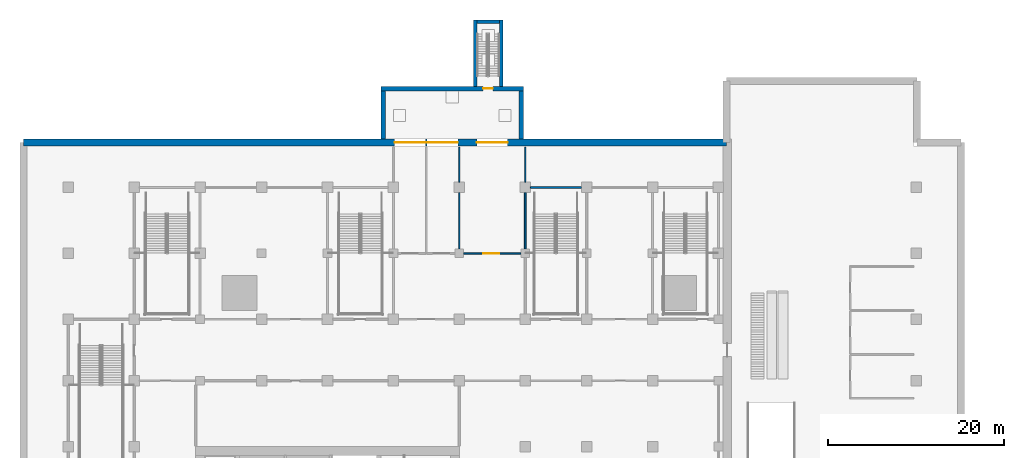
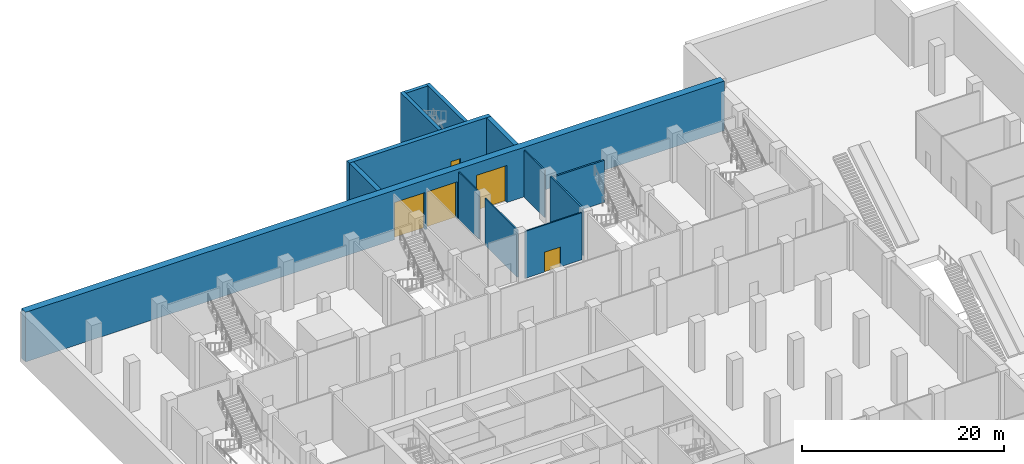
# One storey, part 11 of 45: 13 walls, 5 doors, 5 openings.
"""IFC4 building model written with IfcOpenShell, lengths in metres."""

from ifc_helpers import new_model, si_unit, direction, frame, frame_2d, origin, place, context, subcontext, project, spatial, rectangle, extrude, material, layer, layer_set, type_object, element, fill, save


model = new_model("IFC4")

# Units and contexts
model_context = context("Model", 3, precision=1e-05, world=origin(), true_north=direction((0.0, 1.0)))
body_context = subcontext(model_context, "Body", "Model", "MODEL_VIEW")
ifc_project = project(units=[si_unit("LENGTHUNIT", "METRE"), si_unit("AREAUNIT", "SQUARE_METRE"), si_unit("VOLUMEUNIT", "CUBIC_METRE"), si_unit("PLANEANGLEUNIT", "RADIAN"), si_unit("MASSUNIT", "GRAM", prefix="KILO")], contexts=[model_context])

# Site, building, storey
site_placement = place(None, origin())
site = spatial("IfcSite", under=ifc_project, at=site_placement, CompositionType="ELEMENT")
building_placement = place(site_placement, origin())
building = spatial("IfcBuilding", under=site, at=building_placement, Name="Tamorin Gate", CompositionType="ELEMENT")
storey_placement = place(building_placement, frame((0.0, 0.0, -6.0)))
storey = spatial("IfcBuildingStorey", under=building, at=storey_placement, Name="B1", CompositionType="ELEMENT", Elevation=-6.0)

# Wall, opening, door
ifc_material_1 = material(Name="Concrete masonry C20/25", Category="masonry")
ifc_layer_1 = layer(ifc_material_1, 0.14990234375)
ifc_layer_set_1 = layer_set([ifc_layer_1], Name="Partition 150")
wall_type_1 = type_object("IfcWallType", Name="Partition 150", PredefinedType="PARTITIONING", material=ifc_layer_set_1)
wall_1_placement = place(storey_placement, frame((67.0, 104.5, 0.0), z_axis=(0.0, 0.0, 1.0), x_axis=(-1.0, 0.0, 0.0)))
wall_1 = element("IfcWall", 1, at=wall_1_placement, inside=storey, type_object=wall_type_1, Name="Partition 150 B1", PredefinedType="PARTITIONING", context=body_context, shape_type="SweptSolid", body=[
    extrude(rectangle(XDim=6.5, YDim=0.14990234375, at=frame_2d((3.25, 0.0))), origin(), (0.0, 0.0, 1.0), 5.699951171875),
])
opening_1_placement = place(wall_1_placement, frame((2.449951171875, 0.0, 0.0)))
opening_1 = element("IfcOpeningElement", 2, at=opening_1_placement, cuts=wall_1, Name="Opening DP3", PredefinedType="OPENING", context=body_context, shape_type="SweptSolid", body=[
    extrude(rectangle(XDim=1.800048828125, YDim=2.39990234375, at=frame_2d((0.89990234375, 1.199951171875))), frame((0.0, 0.0849609375, 0.0), z_axis=(0.0, -1.0, 0.0), x_axis=(1.0, 0.0, 0.0)), (0.0, 0.0, 1.0), 0.169921875),
])
ifc_material_2 = material(Name="Steel and glass", Category="steel")
door_type_1 = type_object("IfcDoorType", Name="Door pair 1800", OperationType="DOUBLE_DOOR_SINGLE_SWING", PredefinedType="DOOR", material=ifc_material_2)
door_1_placement = place(opening_1_placement, origin())
door_1 = element("IfcDoor", 3, at=door_1_placement, inside=storey, type_object=door_type_1, Name="Door pair 1800 B1", OperationType="SINGLE_SWING_LEFT", OverallHeight=2.39990234375, OverallWidth=1.800048828125, PredefinedType="DOOR", context=body_context, shape_type="SweptSolid", body=[
    extrude(rectangle(XDim=1.800048828125, YDim=2.39990234375, at=frame_2d((0.89990234375, 1.199951171875))), frame((0.0, 0.02490234375, 0.0), z_axis=(0.0, -1.0, 0.0), x_axis=(1.0, 0.0, 0.0)), (0.0, 0.0, 1.0), 0.050048828125),
])
fill(opening_1, door_1)

# Walls
wall_2_placement = place(storey_placement, frame((67.5, 112.60009765625, 0.0), z_axis=(0.0, 0.0, 1.0), x_axis=(0.0, 1.0, 0.0)))
element("IfcWall", 4, at=wall_2_placement, inside=storey, type_object=wall_type_1, Name="Partition 150 B1", PredefinedType="PARTITIONING", context=body_context, shape_type="SweptSolid", body=[
    extrude(rectangle(XDim=4.0, YDim=0.14990234375, at=frame_2d((2.0, 0.0))), origin(), (0.0, 0.0, 1.0), 5.699951171875),
])
wall_3_placement = place(storey_placement, frame((60.0, 105.0, 0.0), z_axis=(0.0, 0.0, 1.0), x_axis=(0.0, 1.0, 0.0)))
element("IfcWall", 5, at=wall_3_placement, inside=storey, type_object=wall_type_1, Name="Partition 150 B1", PredefinedType="PARTITIONING", context=body_context, shape_type="SweptSolid", body=[
    extrude(rectangle(XDim=6.39990234375, YDim=0.14990234375, at=frame_2d((3.199951171875, 0.0))), origin(), (0.0, 0.0, 1.0), 5.699951171875),
])
wall_4_placement = place(storey_placement, frame((60.0, 112.60009765625, 0.0), z_axis=(0.0, 0.0, 1.0), x_axis=(0.0, 1.0, 0.0)))
element("IfcWall", 6, at=wall_4_placement, inside=storey, type_object=wall_type_1, Name="Partition 150 B1", PredefinedType="PARTITIONING", context=body_context, shape_type="SweptSolid", body=[
    extrude(rectangle(XDim=4.0, YDim=0.14990234375, at=frame_2d((2.0, 0.0))), origin(), (0.0, 0.0, 1.0), 5.699951171875),
])

# Wall, openings, doors
ifc_material_3 = material(Name="Concrete C40/50", Category="concrete")
ifc_layer_2 = layer(ifc_material_3, 0.800048828125)
ifc_layer_set_2 = layer_set([ifc_layer_2], Name="RC basement wall 800 C40/50")
wall_type_2 = type_object("IfcWallType", Name="RC basement wall 800 C40/50", PredefinedType="SHEAR", material=ifc_layer_set_2)
wall_5_placement = place(storey_placement, frame((10.39990234375, 117.10009765625, 0.0), z_axis=(0.0, 0.0, 1.0), x_axis=(1.0, 0.0, 0.0)))
wall_5 = element("IfcWall", 7, at=wall_5_placement, inside=storey, type_object=wall_type_2, Name="Basement wall B1", PredefinedType="SHEAR", context=body_context, shape_type="SweptSolid", body=[
    extrude(rectangle(XDim=80.0, YDim=0.800048828125, at=frame_2d((40.0, 0.0))), origin(), (0.0, 0.0, 1.0), 6.0),
])
opening_2_placement = place(wall_5_placement, frame((42.25, 0.0, 0.0)))
opening_2 = element("IfcOpeningElement", 8, at=opening_2_placement, cuts=wall_5, Name="Opening DP6", PredefinedType="OPENING", context=body_context, shape_type="SweptSolid", body=[
    extrude(rectangle(XDim=3.5, YDim=4.5, at=frame_2d((1.75, 2.25))), frame((0.0, 0.409912109375, 0.0), z_axis=(0.0, -1.0, 0.0), x_axis=(1.0, 0.0, 0.0)), (0.0, 0.0, 1.0), 0.820068359375),
])
opening_3_placement = place(wall_5_placement, frame((45.949951171875, 0.0, 0.0)))
opening_3 = element("IfcOpeningElement", 9, at=opening_3_placement, cuts=wall_5, Name="Opening DP6", PredefinedType="OPENING", context=body_context, shape_type="SweptSolid", body=[
    extrude(rectangle(XDim=3.5, YDim=4.5, at=frame_2d((1.75, 2.25))), frame((0.0, 0.409912109375, 0.0), z_axis=(0.0, -1.0, 0.0), x_axis=(1.0, 0.0, 0.0)), (0.0, 0.0, 1.0), 0.820068359375),
])
opening_4_placement = place(wall_5_placement, frame((51.60009765625, 0.0, 0.0)))
opening_4 = element("IfcOpeningElement", 10, at=opening_4_placement, cuts=wall_5, Name="Opening DP6", PredefinedType="OPENING", context=body_context, shape_type="SweptSolid", body=[
    extrude(rectangle(XDim=3.5, YDim=4.5, at=frame_2d((1.75, 2.25))), frame((0.0, 0.409912109375, 0.0), z_axis=(0.0, -1.0, 0.0), x_axis=(1.0, 0.0, 0.0)), (0.0, 0.0, 1.0), 0.820068359375),
])
ifc_material_4 = material(Name="Painted steel", Category="steel")
door_type_2 = type_object("IfcDoorType", Name="Service door 3500", OperationType="ROLLINGUP", PredefinedType="DOOR", material=ifc_material_4)
door_2_placement = place(opening_2_placement, origin())
door_2 = element("IfcDoor", 11, at=door_2_placement, inside=storey, type_object=door_type_2, Name="Service door 3500", OperationType="SINGLE_SWING_LEFT", OverallHeight=4.5, OverallWidth=3.5, PredefinedType="DOOR", context=body_context, shape_type="SweptSolid", body=[
    extrude(rectangle(XDim=3.5, YDim=4.5, at=frame_2d((1.75, 2.25))), frame((0.0, 0.02490234375, 0.0), z_axis=(0.0, -1.0, 0.0), x_axis=(1.0, 0.0, 0.0)), (0.0, 0.0, 1.0), 0.050048828125),
])
fill(opening_2, door_2)
door_3_placement = place(opening_3_placement, origin())
door_3 = element("IfcDoor", 12, at=door_3_placement, inside=storey, type_object=door_type_2, Name="Service door 3500", OperationType="SINGLE_SWING_LEFT", OverallHeight=4.5, OverallWidth=3.5, PredefinedType="DOOR", context=body_context, shape_type="SweptSolid", body=[
    extrude(rectangle(XDim=3.5, YDim=4.5, at=frame_2d((1.75, 2.25))), frame((0.0, 0.02490234375, 0.0), z_axis=(0.0, -1.0, 0.0), x_axis=(1.0, 0.0, 0.0)), (0.0, 0.0, 1.0), 0.050048828125),
])
fill(opening_3, door_3)
door_4_placement = place(opening_4_placement, origin())
door_4 = element("IfcDoor", 13, at=door_4_placement, inside=storey, type_object=door_type_2, Name="Service door 3500", OperationType="SINGLE_SWING_LEFT", OverallHeight=4.5, OverallWidth=3.5, PredefinedType="DOOR", context=body_context, shape_type="SweptSolid", body=[
    extrude(rectangle(XDim=3.5, YDim=4.5, at=frame_2d((1.75, 2.25))), frame((0.0, 0.02490234375, 0.0), z_axis=(0.0, -1.0, 0.0), x_axis=(1.0, 0.0, 0.0)), (0.0, 0.0, 1.0), 0.050048828125),
])
fill(opening_4, door_4)

# Walls
ifc_layer_3 = layer(ifc_material_3, 0.5)
ifc_layer_set_3 = layer_set([ifc_layer_3], Name="Service court retaining wall 500 C40/50")
wall_type_3 = type_object("IfcWallType", Name="Service court retaining wall 500 C40/50", PredefinedType="SHEAR", material=ifc_layer_set_3)
for number, where, z_axis, x_axis, name in (
    (14, (51.35009765625, 117.5, 0.0), (0.0, 0.0, 1.0), (0.0, 1.0, 0.0), "Service court wall"),
    (15, (67.050048828125, 117.5, 0.0), (0.0, 0.0, 1.0), (0.0, 1.0, 0.0), "Service court wall"),
):
    element("IfcWall", number, at=place(storey_placement, frame(where, z_axis=z_axis, x_axis=x_axis)), inside=storey, type_object=wall_type_3, Name=name, PredefinedType="SHEAR", context=body_context, shape_type="SweptSolid", body=[
        extrude(rectangle(XDim=5.5, YDim=0.5, at=frame_2d((2.75, 0.0))), origin(), (0.0, 0.0, 1.0), 6.0),
    ])

# Wall, opening, door
wall_6_placement = place(storey_placement, frame((51.10009765625, 123.25, 0.0), z_axis=(0.0, 0.0, 1.0), x_axis=(1.0, 0.0, 0.0)))
wall_6 = element("IfcWall", 16, at=wall_6_placement, inside=storey, type_object=wall_type_3, Name="Service court wall", PredefinedType="SHEAR", context=body_context, shape_type="SweptSolid", body=[
    extrude(rectangle(XDim=16.199951171875, YDim=0.5, at=frame_2d((8.10009765625, 0.0))), origin(), (0.0, 0.0, 1.0), 6.0),
])
opening_5_placement = place(wall_6_placement, frame((11.625, 0.0, 0.0)))
opening_5 = element("IfcOpeningElement", 17, at=opening_5_placement, cuts=wall_6, Name="Opening DP8", PredefinedType="OPENING", context=body_context, shape_type="SweptSolid", body=[
    extrude(rectangle(XDim=1.10009765625, YDim=2.10009765625, at=frame_2d((0.550048828125, 1.050048828125))), frame((0.0, 0.260009765625, 0.0), z_axis=(0.0, -1.0, 0.0), x_axis=(1.0, 0.0, 0.0)), (0.0, 0.0, 1.0), 0.52001953125),
])
ifc_material_5 = material(Name="Steel, painted", Category="steel")
door_type_3 = type_object("IfcDoorType", Name="Stair door 1100x2100 FD90", OperationType="SINGLE_SWING_LEFT", PredefinedType="DOOR", material=ifc_material_5)
door_5_placement = place(opening_5_placement, origin())
door_5 = element("IfcDoor", 18, at=door_5_placement, inside=storey, type_object=door_type_3, Name="Stair door", OperationType="SINGLE_SWING_LEFT", OverallHeight=2.10009765625, OverallWidth=1.10009765625, PredefinedType="DOOR", context=body_context, shape_type="SweptSolid", body=[
    extrude(rectangle(XDim=1.10009765625, YDim=2.10009765625, at=frame_2d((0.550048828125, 1.050048828125))), frame((0.0, 0.02490234375, 0.0), z_axis=(0.0, -1.0, 0.0), x_axis=(1.0, 0.0, 0.0)), (0.0, 0.0, 1.0), 0.050048828125),
])
fill(opening_5, door_5)

# Walls
ifc_layer_4 = layer(ifc_material_3, 0.39990234375)
ifc_layer_set_4 = layer_set([ifc_layer_4], Name="Service court stair shaft wall 400 C40/50")
wall_type_4 = type_object("IfcWallType", Name="Service court stair shaft wall 400 C40/50", PredefinedType="SHEAR", material=ifc_layer_set_4)
for number, where, z_axis, x_axis, name in (
    (19, (61.800048828125, 123.5, 0.0), (0.0, 0.0, 1.0), (0.0, 1.0, 0.0), "Service court stair wall"),
    (20, (64.75, 123.5, 0.0), (0.0, 0.0, 1.0), (0.0, 1.0, 0.0), "Service court stair wall"),
):
    element("IfcWall", number, at=place(storey_placement, frame(where, z_axis=z_axis, x_axis=x_axis)), inside=storey, type_object=wall_type_4, Name=name, PredefinedType="SHEAR", context=body_context, shape_type="SweptSolid", body=[
        extrude(rectangle(XDim=7.56005859375, YDim=0.39990234375, at=frame_2d((3.780029296875, 0.0))), origin(), (0.0, 0.0, 1.0), 6.0),
    ])
wall_7_placement = place(storey_placement, frame((62.0, 130.860107421875, 0.0), z_axis=(0.0, 0.0, 1.0), x_axis=(1.0, 0.0, 0.0)))
element("IfcWall", 21, at=wall_7_placement, inside=storey, type_object=wall_type_4, Name="Service court stair wall", PredefinedType="SHEAR", context=body_context, shape_type="SweptSolid", body=[
    extrude(rectangle(XDim=2.550048828125, YDim=0.39990234375, at=frame_2d((1.27490234375, 0.0))), origin(), (0.0, 0.0, 1.0), 6.0),
])
ifc_layer_5 = layer(ifc_material_3, 0.199951171875)
ifc_layer_set_5 = layer_set([ifc_layer_5], Name="Stair enclosure 200")
wall_type_5 = type_object("IfcWallType", Name="Stair enclosure 200", PredefinedType="SHEAR", material=ifc_layer_set_5)
wall_8_placement = place(storey_placement, frame((68.10009765625, 112.0, 0.0), z_axis=(0.0, 0.0, 1.0), x_axis=(1.0, 0.0, 0.0)))
element("IfcWall", 22, at=wall_8_placement, inside=storey, type_object=wall_type_5, Name="Stair enclosure 200 B1", PredefinedType="SHEAR", context=body_context, shape_type="SweptSolid", body=[
    extrude(rectangle(XDim=5.7998046875, YDim=0.199951171875, at=frame_2d((2.89990234375, 0.0))), origin(), (0.0, 0.0, 1.0), 5.10009765625),
])
wall_9_placement = place(storey_placement, frame((67.5, 105.0, 0.0), z_axis=(0.0, 0.0, 1.0), x_axis=(0.0, 1.0, 0.0)))
element("IfcWall", 23, at=wall_9_placement, inside=storey, type_object=wall_type_5, Name="Stair enclosure 200 B1", PredefinedType="SHEAR", context=body_context, shape_type="SweptSolid", body=[
    extrude(rectangle(XDim=6.39990234375, YDim=0.199951171875, at=frame_2d((3.199951171875, 0.0))), origin(), (0.0, 0.0, 1.0), 5.699951171875),
])

save(model, "model.ifc")
